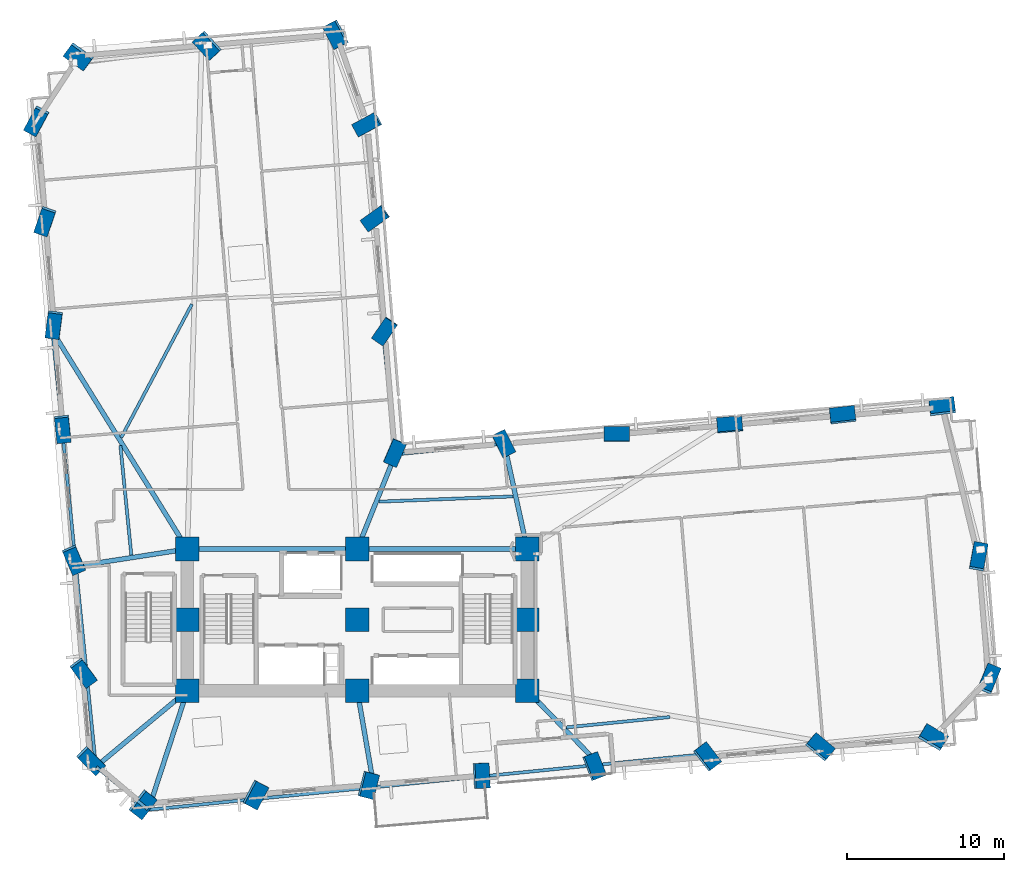
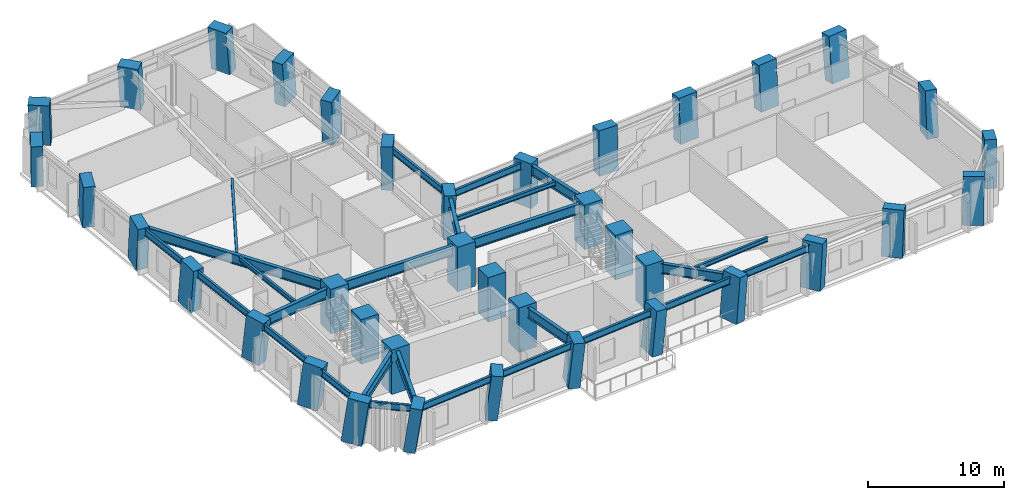
# One storey, part 1 of 14: 38 columns, 26 beams.
"""IFC4 building model written with IfcOpenShell, lengths in metres."""

from ifc_helpers import new_model, si_unit, direction, frame, origin, origin_2d, place, context, subcontext, project, spatial, rectangle, i_section, extrude, material, material_profile, profile_set, type_object, element, save


model = new_model("IFC4")

# Units and contexts
model_context = context("Model", 3, precision=1e-05, world=origin(), true_north=direction((0.0, 1.0)))
body_context = subcontext(model_context, "Body", "Model", "MODEL_VIEW")
ifc_project = project(units=[si_unit("LENGTHUNIT", "METRE"), si_unit("AREAUNIT", "SQUARE_METRE"), si_unit("VOLUMEUNIT", "CUBIC_METRE"), si_unit("PLANEANGLEUNIT", "RADIAN"), si_unit("MASSUNIT", "GRAM", prefix="KILO")], contexts=[model_context])

# Site, building, storey
site_placement = place(None, origin())
site = spatial("IfcSite", under=ifc_project, at=site_placement, CompositionType="ELEMENT")
building_placement = place(site_placement, origin())
building = spatial("IfcBuilding", under=site, at=building_placement, Name="Gaonmaruhae Medical Tower", CompositionType="ELEMENT")
storey_placement = place(building_placement, frame((0.0, 0.0, 43.0)))
storey = spatial("IfcBuildingStorey", under=building, at=storey_placement, Name="L09", CompositionType="ELEMENT", Elevation=43.0)

# Columns
ifc_material_1 = material(Name="Concrete C60/75", Category="concrete")
ifc_material_profile_1 = material_profile(ifc_material_1, rectangle(XDim=1.5, YDim=1.5, at=origin_2d()), Name="RC-1500x1500")
ifc_profile_set_1 = profile_set([ifc_material_profile_1], Name="Concrete C60/75")
column_type_1 = type_object("IfcColumnType", Name="CC-02 Zone 1 Core Column (RC-1500x1500)", PredefinedType="COLUMN", material=ifc_profile_set_1)
for number, where, z_axis, x_axis, name in (
    (1, (14.0, 7.800048828125, 0.0), (0.0, 0.0, 1.0), (1.0, 0.0, 0.0), "L09 Plumb Core Column CC11"),
    (2, (14.0, 12.300048828125, 0.0), (0.0, 0.0, 1.0), (1.0, 0.0, 0.0), "L09 Plumb Core Column CC12"),
    (3, (14.0, 16.800048828125, 0.0), (0.0, 0.0, 1.0), (1.0, 0.0, 0.0), "L09 Plumb Core Column CC13"),
    (4, (24.800048828125, 7.800048828125, 0.0), (0.0, 0.0, 1.0), (1.0, 0.0, 0.0), "L09 Plumb Core Column CC21"),
    (5, (24.800048828125, 12.300048828125, 0.0), (0.0, 0.0, 1.0), (1.0, 0.0, 0.0), "L09 Plumb Core Column CC22"),
    (6, (24.800048828125, 16.800048828125, 0.0), (0.0, 0.0, 1.0), (1.0, 0.0, 0.0), "L09 Plumb Core Column CC23"),
    (7, (35.60009765625, 7.800048828125, 0.0), (0.0, 0.0, 1.0), (1.0, 0.0, 0.0), "L09 Plumb Core Column CC31"),
    (8, (35.60009765625, 12.300048828125, 0.0), (0.0, 0.0, 1.0), (1.0, 0.0, 0.0), "L09 Plumb Core Column CC32"),
    (9, (35.60009765625, 16.800048828125, 0.0), (0.0, 0.0, 1.0), (1.0, 0.0, 0.0), "L09 Plumb Core Column CC33"),
):
    element("IfcColumn", number, at=place(storey_placement, frame(where, z_axis=z_axis, x_axis=x_axis)), inside=storey, type_object=column_type_1, Name=name, PredefinedType="COLUMN", context=body_context, shape_type="SweptSolid", body=[
        extrude(rectangle(XDim=1.5, YDim=1.5, at=origin_2d()), origin(), (0.0, 0.0, 1.0), 4.0),
    ])
ifc_material_profile_2 = material_profile(ifc_material_1, rectangle(XDim=1.60009765625, YDim=0.89990234375, at=origin_2d()), Name="RC-1600x900")
ifc_profile_set_2 = profile_set([ifc_material_profile_2], Name="Concrete C60/75")
column_type_2 = type_object("IfcColumnType", Name="TC-01 Lower Raking Tube Pier Column (RC-1600x900)", PredefinedType="COLUMN", material=ifc_profile_set_2)
column_1_placement = place(storey_placement, frame((11.12646484375, 0.605712890625, 0.001708984375), z_axis=(0.100105415499, -0.091450594207, 0.990765206599), x_axis=(0.611581108699, 0.791102068407, 0.011227860206)))
element("IfcColumn", 10, at=column_1_placement, inside=storey, type_object=column_type_2, Name="L09 Perimeter Tube Column S01", PredefinedType="COLUMN", context=body_context, shape_type="SweptSolid", body=[
    extrude(rectangle(XDim=1.60009765625, YDim=0.89990234375, at=origin_2d()), origin(), (0.0, 0.0, 1.0), 4.033935546875),
])
column_2_placement = place(storey_placement, frame((18.3017578125, 1.201904296875, 0.001708984375), z_axis=(0.097689287365, -0.062132813827, 0.993275549171), x_axis=(0.465425846854, 0.885034953746, 0.009587060428)))
element("IfcColumn", 11, at=column_2_placement, inside=storey, type_object=column_type_2, Name="L09 Perimeter Tube Column S02", PredefinedType="COLUMN", context=body_context, shape_type="SweptSolid", body=[
    extrude(rectangle(XDim=1.60009765625, YDim=0.89990234375, at=origin_2d()), origin(), (0.0, 0.0, 1.0), 4.023681640625),
])
column_3_placement = place(storey_placement, frame((25.47705078125, 1.79833984375, 0.001708984375), z_axis=(0.095116908287, -0.032698336523, 0.994928938441), x_axis=(0.24606709674, 0.969217010623, 0.008328878761)))
element("IfcColumn", 12, at=column_3_placement, inside=storey, type_object=column_type_2, Name="L09 Perimeter Tube Column S03", PredefinedType="COLUMN", context=body_context, shape_type="SweptSolid", body=[
    extrude(rectangle(XDim=1.60009765625, YDim=0.89990234375, at=origin_2d()), origin(), (0.0, 0.0, 1.0), 4.016845703125),
])
column_4_placement = place(storey_placement, frame((32.65234375, 2.39453125, 0.001708984375), z_axis=(0.092454615245, -0.003162921048, 0.995711876022), x_axis=(-0.048331810762, 0.998801958908, 0.007660479794)))
element("IfcColumn", 13, at=column_4_placement, inside=storey, type_object=column_type_2, Name="L09 Perimeter Tube Column S04", PredefinedType="COLUMN", context=body_context, shape_type="SweptSolid", body=[
    extrude(rectangle(XDim=1.60009765625, YDim=0.89990234375, at=origin_2d()), origin(), (0.0, 0.0, 1.0), 4.013671875),
])
column_5_placement = place(storey_placement, frame((39.82763671875, 2.99072265625, 0.001708984375), z_axis=(0.08976921486, 0.026456374298, 0.995611143129), x_axis=(-0.360804993804, 0.932609081019, 0.007749738583)))
element("IfcColumn", 14, at=column_5_placement, inside=storey, type_object=column_type_2, Name="L09 Perimeter Tube Column S05", PredefinedType="COLUMN", context=body_context, shape_type="SweptSolid", body=[
    extrude(rectangle(XDim=1.60009765625, YDim=0.89990234375, at=origin_2d()), origin(), (0.0, 0.0, 1.0), 4.01416015625),
])
column_6_placement = place(storey_placement, frame((47.002685546875, 3.587158203125, 0.001708984375), z_axis=(0.087007750901, 0.05595959398, 0.99463469431), x_axis=(-0.608351167105, 0.793621744244, 0.008566477999)))
element("IfcColumn", 15, at=column_6_placement, inside=storey, type_object=column_type_2, Name="L09 Perimeter Tube Column S06", PredefinedType="COLUMN", context=body_context, shape_type="SweptSolid", body=[
    extrude(rectangle(XDim=1.60009765625, YDim=0.89990234375, at=origin_2d()), origin(), (0.0, 0.0, 1.0), 4.01806640625),
])
column_7_placement = place(storey_placement, frame((54.177978515625, 4.183349609375, 0.001708984375), z_axis=(0.084177518117, 0.085390450655, 0.992785282113), x_axis=(-0.767415180353, 0.641073593575, 0.00992917841)))
element("IfcColumn", 16, at=column_7_placement, inside=storey, type_object=column_type_2, Name="L09 Perimeter Tube Column S07", PredefinedType="COLUMN", context=body_context, shape_type="SweptSolid", body=[
    extrude(rectangle(XDim=1.60009765625, YDim=0.89990234375, at=origin_2d()), origin(), (0.0, 0.0, 1.0), 4.025634765625),
])
column_8_placement = place(storey_placement, frame((61.353271484375, 4.779541015625, 0.001708984375), z_axis=(0.081226798474, 0.11461264565, 0.990083909912), x_axis=(-0.860485068136, 0.509342839907, 0.011632667372)))
element("IfcColumn", 17, at=column_8_placement, inside=storey, type_object=column_type_2, Name="L09 Perimeter Tube Column S08", PredefinedType="COLUMN", context=body_context, shape_type="SweptSolid", body=[
    extrude(rectangle(XDim=1.60009765625, YDim=0.89990234375, at=origin_2d()), origin(), (0.0, 0.0, 1.0), 4.03662109375),
])
column_9_placement = place(storey_placement, frame((64.908447265625, 8.48681640625, 0.001708984375), z_axis=(0.065883618788, 0.128926384289, 0.989463155559), x_axis=(-0.374965636524, -0.915741149451, 0.144287624654)))
element("IfcColumn", 18, at=column_9_placement, inside=storey, type_object=column_type_2, Name="L09 Perimeter Tube Column E01", PredefinedType="COLUMN", context=body_context, shape_type="SweptSolid", body=[
    extrude(rectangle(XDim=1.60009765625, YDim=0.89990234375, at=origin_2d()), origin(), (0.0, 0.0, 1.0), 4.0390625),
])
column_10_placement = place(storey_placement, frame((64.262451171875, 16.260009765625, 0.001708984375), z_axis=(0.034096730503, 0.126272971756, 0.991409375371), x_axis=(-0.17761535471, -0.975429466717, 0.130346235969)))
element("IfcColumn", 19, at=column_10_placement, inside=storey, type_object=column_type_2, Name="L09 Perimeter Tube Column E02", PredefinedType="COLUMN", context=body_context, shape_type="SweptSolid", body=[
    extrude(rectangle(XDim=1.60009765625, YDim=0.89990234375, at=origin_2d()), origin(), (0.0, 0.0, 1.0), 4.03125),
])
column_11_placement = place(storey_placement, frame((61.96435546875, 25.802490234375, 0.001708984375), z_axis=(-0.00509619304, 0.116727088199, 0.993150953127), x_axis=(-0.992029926885, -0.125630471122, 0.009675168759)))
element("IfcColumn", 20, at=column_11_placement, inside=storey, type_object=column_type_2, Name="L09 Perimeter Tube Column E03", PredefinedType="COLUMN", context=body_context, shape_type="SweptSolid", body=[
    extrude(rectangle(XDim=1.60009765625, YDim=0.89990234375, at=origin_2d()), origin(), (0.0, 0.0, 1.0), 4.024169921875),
])
column_12_placement = place(storey_placement, frame((55.63623046875, 25.276611328125, 0.001708984375), z_axis=(-0.002737528383, 0.090946776294, 0.995851991925), x_axis=(-0.993633257969, -0.112410761084, 0.007534550471)))
element("IfcColumn", 21, at=column_12_placement, inside=storey, type_object=column_type_2, Name="L09 Perimeter Tube Column EN01", PredefinedType="COLUMN", context=body_context, shape_type="SweptSolid", body=[
    extrude(rectangle(XDim=1.60009765625, YDim=0.89990234375, at=origin_2d()), origin(), (0.0, 0.0, 1.0), 4.01318359375),
])
column_13_placement = place(storey_placement, frame((48.4609375, 24.680419921875, 0.001708984375), z_axis=(0.0, 0.061459648472, 0.99810956894), x_axis=(-0.996565502498, -0.082651664305, 0.005089363324)))
element("IfcColumn", 22, at=column_13_placement, inside=storey, type_object=column_type_2, Name="L09 Perimeter Tube Column EN02", PredefinedType="COLUMN", context=body_context, shape_type="SweptSolid", body=[
    extrude(rectangle(XDim=1.60009765625, YDim=0.89990234375, at=origin_2d()), origin(), (0.0, 0.0, 1.0), 4.004150390625),
])
column_14_placement = place(storey_placement, frame((41.28564453125, 24.083984375, 0.001708984375), z_axis=(0.002686468438, 0.031871284652, 0.999488371169), x_axis=(-0.999995734273, 0.00123148232, 0.002648563136)))
element("IfcColumn", 23, at=column_14_placement, inside=storey, type_object=column_type_2, Name="L09 Perimeter Tube Column EN03", PredefinedType="COLUMN", context=body_context, shape_type="SweptSolid", body=[
    extrude(rectangle(XDim=1.60009765625, YDim=0.89990234375, at=origin_2d()), origin(), (0.0, 0.0, 1.0), 3.99853515625),
])
column_15_placement = place(storey_placement, frame((34.1103515625, 23.48779296875, 0.001708984375), z_axis=(0.005436681812, 0.002138020937, 0.999982935533), x_axis=(-0.441780940318, 0.897122827011, 0.000483763271)))
element("IfcColumn", 24, at=column_15_placement, inside=storey, type_object=column_type_2, Name="L09 Perimeter Tube Column EN04", PredefinedType="COLUMN", context=body_context, shape_type="SweptSolid", body=[
    extrude(rectangle(XDim=1.60009765625, YDim=0.89990234375, at=origin_2d()), origin(), (0.0, 0.0, 1.0), 3.99658203125),
])
column_16_placement = place(storey_placement, frame((27.184326171875, 22.912109375, 0.001708984375), z_axis=(0.00806043663, -0.026501738618, 0.999616269981), x_axis=(0.396159552776, 0.917938249982, 0.021141853361)))
element("IfcColumn", 25, at=column_16_placement, inside=storey, type_object=column_type_2, Name="L09 Perimeter Tube Column KN01", PredefinedType="COLUMN", context=body_context, shape_type="SweptSolid", body=[
    extrude(rectangle(XDim=1.60009765625, YDim=0.89990234375, at=origin_2d()), origin(), (0.0, 0.0, 1.0), 3.998046875),
])
column_17_placement = place(storey_placement, frame((26.54248046875, 30.635498046875, 0.001708984375), z_axis=(-0.023929015916, -0.029422922632, 0.999280588134), x_axis=(0.564092616343, 0.824846092772, 0.03779475396)))
element("IfcColumn", 26, at=column_17_placement, inside=storey, type_object=column_type_2, Name="L09 Perimeter Tube Column NE01", PredefinedType="COLUMN", context=body_context, shape_type="SweptSolid", body=[
    extrude(rectangle(XDim=1.60009765625, YDim=0.89990234375, at=origin_2d()), origin(), (0.0, 0.0, 1.0), 3.99951171875),
])
column_18_placement = place(storey_placement, frame((25.9462890625, 37.810791015625, 0.001708984375), z_axis=(-0.053590964429, -0.03206922331, 0.99804788134), x_axis=(0.810957592379, 0.581785272083, 0.062238899011)))
element("IfcColumn", 27, at=column_18_placement, inside=storey, type_object=column_type_2, Name="L09 Perimeter Tube Column NE02", PredefinedType="COLUMN", context=body_context, shape_type="SweptSolid", body=[
    extrude(rectangle(XDim=1.60009765625, YDim=0.89990234375, at=origin_2d()), origin(), (0.0, 0.0, 1.0), 4.00439453125),
])
column_19_placement = place(storey_placement, frame((25.44921875, 43.790283203125, 0.001708984375), z_axis=(-0.078149906761, -0.034327529138, 0.996350446789), x_axis=(0.875790181589, 0.47513759138, 0.085063664917)))
element("IfcColumn", 28, at=column_19_placement, inside=storey, type_object=column_type_2, Name="L09 Perimeter Tube Column NE03", PredefinedType="COLUMN", context=body_context, shape_type="SweptSolid", body=[
    extrude(rectangle(XDim=1.60009765625, YDim=0.89990234375, at=origin_2d()), origin(), (0.0, 0.0, 1.0), 4.01123046875),
])
column_20_placement = place(storey_placement, frame((23.469970703125, 49.495849609375, 0.001708984375), z_axis=(-0.10139716979, -0.042562524565, 0.993935131415), x_axis=(0.461606570923, -0.887038020539, 0.009106250522)))
element("IfcColumn", 29, at=column_20_placement, inside=storey, type_object=column_type_2, Name="L09 Perimeter Tube Column N01", PredefinedType="COLUMN", context=body_context, shape_type="SweptSolid", body=[
    extrude(rectangle(XDim=1.60009765625, YDim=0.89990234375, at=origin_2d()), origin(), (0.0, 0.0, 1.0), 4.02099609375),
])
column_21_placement = place(storey_placement, frame((15.298095703125, 48.81689453125, 0.001708984375), z_axis=(-0.098134622607, -0.076131615808, 0.992256807949), x_axis=(0.675776401086, -0.737034920239, 0.010285041756)))
element("IfcColumn", 30, at=column_21_placement, inside=storey, type_object=column_type_2, Name="L09 Perimeter Tube Column N02", PredefinedType="COLUMN", context=body_context, shape_type="SweptSolid", body=[
    extrude(rectangle(XDim=1.60009765625, YDim=0.89990234375, at=origin_2d()), origin(), (0.0, 0.0, 1.0), 4.02783203125),
])
column_22_placement = place(storey_placement, frame((7.126220703125, 48.1376953125, 0.001708984375), z_axis=(-0.094776858369, -0.109343964789, 0.989475236922), x_axis=(0.806719200404, -0.590813465047, 0.011982538055)))
element("IfcColumn", 31, at=column_22_placement, inside=storey, type_object=column_type_2, Name="L09 Perimeter Tube Column N03", PredefinedType="COLUMN", context=body_context, shape_type="SweptSolid", body=[
    extrude(rectangle(XDim=1.60009765625, YDim=0.89990234375, at=origin_2d()), origin(), (0.0, 0.0, 1.0), 4.0390625),
])
column_23_placement = place(storey_placement, frame((4.45556640625, 44.052490234375, 0.001708984375), z_axis=(-0.077989674044, -0.120188737985, 0.989682917911), x_axis=(0.467404280467, 0.872436977257, 0.142782909749)))
element("IfcColumn", 32, at=column_23_placement, inside=storey, type_object=column_type_2, Name="L09 Perimeter Tube Column W01", PredefinedType="COLUMN", context=body_context, shape_type="SweptSolid", body=[
    extrude(rectangle(XDim=1.60009765625, YDim=0.89990234375, at=origin_2d()), origin(), (0.0, 0.0, 1.0), 4.038330078125),
])
column_24_placement = place(storey_placement, frame((4.985595703125, 37.674560546875, 0.001708984375), z_axis=(-0.051975028871, -0.118064488659, 0.991644781609), x_axis=(0.322383773593, 0.93783910321, 0.128555509462)))
element("IfcColumn", 33, at=column_24_placement, inside=storey, type_object=column_type_2, Name="L09 Perimeter Tube Column W02", PredefinedType="COLUMN", context=body_context, shape_type="SweptSolid", body=[
    extrude(rectangle(XDim=1.60009765625, YDim=0.89990234375, at=origin_2d()), origin(), (0.0, 0.0, 1.0), 4.0302734375),
])
column_25_placement = place(storey_placement, frame((5.531982421875, 31.09716796875, 0.001708984375), z_axis=(-0.024930331489, -0.115734969538, 0.992967217685), x_axis=(0.127428183267, 0.98480559743, 0.117983021577)))
element("IfcColumn", 34, at=column_25_placement, inside=storey, type_object=column_type_2, Name="L09 Perimeter Tube Column W03", PredefinedType="COLUMN", context=body_context, shape_type="SweptSolid", body=[
    extrude(rectangle(XDim=1.60009765625, YDim=0.89990234375, at=origin_2d()), origin(), (0.0, 0.0, 1.0), 4.02490234375),
])
column_26_placement = place(storey_placement, frame((6.082763671875, 24.469970703125, 0.001708984375), z_axis=(0.002306361863, -0.113315199963, 0.993556413171), x_axis=(-0.102939792592, 0.988253930152, 0.112949407435)))
element("IfcColumn", 35, at=column_26_placement, inside=storey, type_object=column_type_2, Name="L09 Perimeter Tube Column W04", PredefinedType="COLUMN", context=body_context, shape_type="SweptSolid", body=[
    extrude(rectangle(XDim=1.60009765625, YDim=0.89990234375, at=origin_2d()), origin(), (0.0, 0.0, 1.0), 4.0224609375),
])
column_27_placement = place(storey_placement, frame((6.7744140625, 16.148681640625, 0.001708984375), z_axis=(0.036526226116, -0.110124751497, 0.993246381274), x_axis=(-0.390213029027, 0.913435534093, 0.11562576285)))
element("IfcColumn", 36, at=column_27_placement, inside=storey, type_object=column_type_2, Name="L09 Perimeter Tube Column W05", PredefinedType="COLUMN", context=body_context, shape_type="SweptSolid", body=[
    extrude(rectangle(XDim=1.60009765625, YDim=0.89990234375, at=origin_2d()), origin(), (0.0, 0.0, 1.0), 4.023681640625),
])
column_28_placement = place(storey_placement, frame((7.37060546875, 8.973388671875, 0.001708984375), z_axis=(0.065994029659, -0.10732362399, 0.992031465117), x_axis=(-0.588382931582, 0.798774562597, 0.125557651976)))
element("IfcColumn", 37, at=column_28_placement, inside=storey, type_object=column_type_2, Name="L09 Perimeter Tube Column W06", PredefinedType="COLUMN", context=body_context, shape_type="SweptSolid", body=[
    extrude(rectangle(XDim=1.60009765625, YDim=0.89990234375, at=origin_2d()), origin(), (0.0, 0.0, 1.0), 4.028564453125),
])
column_29_placement = place(storey_placement, frame((7.83447265625, 3.392578125, 0.001708984375), z_axis=(0.088703654958, -0.10504061733, 0.990503977937), x_axis=(-0.700137756732, 0.700738799977, 0.137011881987)))
element("IfcColumn", 38, at=column_29_placement, inside=storey, type_object=column_type_2, Name="L09 Perimeter Tube Column W07", PredefinedType="COLUMN", context=body_context, shape_type="SweptSolid", body=[
    extrude(rectangle(XDim=1.60009765625, YDim=0.89990234375, at=origin_2d()), origin(), (0.0, 0.0, 1.0), 4.034912109375),
])

# Beams
ifc_material_2 = material(Name="Steel SM355", Category="steel")
ifc_material_profile_3 = material_profile(ifc_material_2, i_section(OverallWidth=0.199951171875, OverallDepth=0.39990234375, WebThickness=0.008056640625, FlangeThickness=0.012939453125, FilletRadius=0.012939453125, at=origin_2d()), Name="H-400x200x8x13")
ifc_profile_set_3 = profile_set([ifc_material_profile_3], Name="Steel SM355")
beam_type_1 = type_object("IfcBeamType", Name="FJ-01 Lower Zone Ward Floor Joist (H-400x200x8x13)", PredefinedType="JOIST", material=ifc_profile_set_3)
beam_1_placement = place(storey_placement, frame((38.091064453125, 5.46826171875, 3.580078125), z_axis=(0.995057309687, 0.099302318398, 0.0), x_axis=(-0.099302318398, 0.995057309687, 0.0)))
element("IfcBeam", 39, at=beam_1_placement, inside=storey, type_object=beam_type_1, Name="L09 Secondary Floor Joist FJ03", PredefinedType="JOIST", context=body_context, shape_type="SweptSolid", body=[
    extrude(i_section(OverallWidth=0.199951171875, OverallDepth=0.39990234375, WebThickness=0.008056640625, FlangeThickness=0.012939453125, FilletRadius=0.012939453125, at=origin_2d()), origin(), (0.0, 0.0, 1.0), 6.601318359375),
])
beam_2_placement = place(storey_placement, frame((34.707763671875, 20.14208984375, 3.580078125), z_axis=(-0.999242040654, -0.038927422067, 0.0), x_axis=(0.038927422067, -0.999242040654, 0.0)))
element("IfcBeam", 40, at=beam_2_placement, inside=storey, type_object=beam_type_1, Name="L09 Secondary Floor Joist FJ06", PredefinedType="JOIST", context=body_context, shape_type="SweptSolid", body=[
    extrude(i_section(OverallWidth=0.199951171875, OverallDepth=0.39990234375, WebThickness=0.008056640625, FlangeThickness=0.012939453125, FilletRadius=0.012939453125, at=origin_2d()), origin(), (0.0, 0.0, 1.0), 8.535888671875),
])
beam_3_placement = place(storey_placement, frame((14.2900390625, 32.350341796875, 3.580078125), z_axis=(-0.468114584762, -0.883667774411, 0.0), x_axis=(0.883667774411, -0.468114584762, 0.0)))
element("IfcBeam", 41, at=beam_3_placement, inside=storey, type_object=beam_type_1, Name="L09 Secondary Floor Joist FJ09", PredefinedType="JOIST", context=body_context, shape_type="SweptSolid", body=[
    extrude(i_section(OverallWidth=0.199951171875, OverallDepth=0.39990234375, WebThickness=0.008056640625, FlangeThickness=0.012939453125, FilletRadius=0.012939453125, at=origin_2d()), origin(), (0.0, 0.0, 1.0), 9.591552734375),
])
beam_4_placement = place(storey_placement, frame((9.750244140625, 23.3701171875, 3.580078125), z_axis=(0.099310241721, -0.995056518942, 0.0), x_axis=(0.995056518942, 0.099310241721, 0.0)))
element("IfcBeam", 42, at=beam_4_placement, inside=storey, type_object=beam_type_1, Name="L09 Secondary Floor Joist FJ10", PredefinedType="JOIST", context=body_context, shape_type="SweptSolid", body=[
    extrude(i_section(OverallWidth=0.199951171875, OverallDepth=0.39990234375, WebThickness=0.008056640625, FlangeThickness=0.012939453125, FilletRadius=0.012939453125, at=origin_2d()), origin(), (0.0, 0.0, 1.0), 6.99658203125),
])
ifc_material_3 = material(Name="Steel SM420", Category="steel")
ifc_material_profile_4 = material_profile(ifc_material_3, i_section(OverallWidth=0.300048828125, OverallDepth=0.89990234375, WebThickness=0.01611328125, FlangeThickness=0.028076171875, FilletRadius=0.01806640625, at=origin_2d()), Name="H-900x300x16x28")
ifc_profile_set_4 = profile_set([ifc_material_profile_4], Name="Steel SM420")
beam_type_2 = type_object("IfcBeamType", Name="PG-01 Zone 1 Radial Floor Girder (H-900x300x16x28)", PredefinedType="BEAM", material=ifc_profile_set_4)
for number, where, z_axis, x_axis, name in (
    (43, (14.050048828125, 16.800048828125, 3.330078125), (1.0, 0.0, 0.0), (0.0, 1.0, 0.0), "L09 Beam BM-L09-CG-N1"),
    (44, (24.85009765625, 16.800048828125, 3.330078125), (1.0, 0.0, 0.0), (0.0, 1.0, 0.0), "L09 Beam BM-L09-CG-N2"),
):
    element("IfcBeam", number, at=place(storey_placement, frame(where, z_axis=z_axis, x_axis=x_axis)), inside=storey, type_object=beam_type_2, Name=name, PredefinedType="BEAM", context=body_context, shape_type="SweptSolid", body=[
        extrude(i_section(OverallWidth=0.300048828125, OverallDepth=0.89990234375, WebThickness=0.01611328125, FlangeThickness=0.028076171875, FilletRadius=0.01806640625, at=origin_2d()), origin(), (0.0, 0.0, 1.0), 10.699951171875),
    ])
beam_5_placement = place(storey_placement, frame((13.984375, 7.75244140625, 3.330078125), z_axis=(-0.310357652522, -0.950619864889, 0.0), x_axis=(0.950619864889, -0.310357652522, 0.0)))
element("IfcBeam", 45, at=beam_5_placement, inside=storey, type_object=beam_type_2, Name="L09 Radial Primary Girder S01", PredefinedType="BEAM", context=body_context, shape_type="SweptSolid", body=[
    extrude(i_section(OverallWidth=0.300048828125, OverallDepth=0.89990234375, WebThickness=0.01611328125, FlangeThickness=0.028076171875, FilletRadius=0.01806640625, at=origin_2d()), origin(), (0.0, 0.0, 1.0), 7.856201171875),
])
beam_6_placement = place(storey_placement, frame((24.80859375, 7.750732421875, 3.330078125), z_axis=(0.170188596605, -0.985411508754, 0.0), x_axis=(0.985411508754, 0.170188596605, 0.0)))
element("IfcBeam", 46, at=beam_6_placement, inside=storey, type_object=beam_type_2, Name="L09 Radial Primary Girder S03", PredefinedType="BEAM", context=body_context, shape_type="SweptSolid", body=[
    extrude(i_section(OverallWidth=0.300048828125, OverallDepth=0.89990234375, WebThickness=0.01611328125, FlangeThickness=0.028076171875, FilletRadius=0.01806640625, at=origin_2d()), origin(), (0.0, 0.0, 1.0), 6.1240234375),
])
beam_7_placement = place(storey_placement, frame((35.635009765625, 7.76416015625, 3.31005859375), z_axis=(0.698298389202, -0.715806789321, 0.0), x_axis=(0.715806789321, 0.698298389202, 0.0)))
element("IfcBeam", 47, at=beam_7_placement, inside=storey, type_object=beam_type_2, Name="L09 Radial Primary Girder S05", PredefinedType="BEAM", context=body_context, shape_type="SweptSolid", body=[
    extrude(i_section(OverallWidth=0.300048828125, OverallDepth=0.89990234375, WebThickness=0.01611328125, FlangeThickness=0.028076171875, FilletRadius=0.01806640625, at=origin_2d()), origin(), (0.0, 0.0, 1.0), 6.47021484375),
])
beam_8_placement = place(storey_placement, frame((35.58935546875, 16.848876953125, 3.330078125), z_axis=(-0.214132294686, 0.976804668484, 0.0), x_axis=(-0.976804668484, -0.214132294686, 0.0)))
element("IfcBeam", 48, at=beam_8_placement, inside=storey, type_object=beam_type_2, Name="L09 Radial Primary Girder EN04", PredefinedType="BEAM", context=body_context, shape_type="SweptSolid", body=[
    extrude(i_section(OverallWidth=0.300048828125, OverallDepth=0.89990234375, WebThickness=0.01611328125, FlangeThickness=0.028076171875, FilletRadius=0.01806640625, at=origin_2d()), origin(), (0.0, 0.0, 1.0), 6.75537109375),
])
beam_9_placement = place(storey_placement, frame((24.818603515625, 16.846435546875, 3.330078125), z_axis=(0.373258826654, 0.927727248886, 0.0), x_axis=(-0.927727248886, 0.373258826654, 0.0)))
element("IfcBeam", 49, at=beam_9_placement, inside=storey, type_object=beam_type_2, Name="L09 Radial Primary Girder KN01", PredefinedType="BEAM", context=body_context, shape_type="SweptSolid", body=[
    extrude(i_section(OverallWidth=0.300048828125, OverallDepth=0.89990234375, WebThickness=0.01611328125, FlangeThickness=0.028076171875, FilletRadius=0.01806640625, at=origin_2d()), origin(), (0.0, 0.0, 1.0), 6.3740234375),
])
beam_10_placement = place(storey_placement, frame((13.9736328125, 16.842529296875, 3.330078125), z_axis=(-0.526629029909, 0.850095209289, 0.0), x_axis=(-0.850095209289, -0.526629029909, 0.0)))
element("IfcBeam", 50, at=beam_10_placement, inside=storey, type_object=beam_type_2, Name="L09 Radial Primary Girder W03", PredefinedType="BEAM", context=body_context, shape_type="SweptSolid", body=[
    extrude(i_section(OverallWidth=0.300048828125, OverallDepth=0.89990234375, WebThickness=0.01611328125, FlangeThickness=0.028076171875, FilletRadius=0.01806640625, at=origin_2d()), origin(), (0.0, 0.0, 1.0), 16.170166015625),
])
beam_11_placement = place(storey_placement, frame((13.95068359375, 16.79248046875, 3.330078125), z_axis=(-0.988249097454, -0.15285195904, 0.0), x_axis=(0.15285195904, -0.988249097454, 0.0)))
element("IfcBeam", 51, at=beam_11_placement, inside=storey, type_object=beam_type_2, Name="L09 Radial Primary Girder W05", PredefinedType="BEAM", context=body_context, shape_type="SweptSolid", body=[
    extrude(i_section(OverallWidth=0.300048828125, OverallDepth=0.89990234375, WebThickness=0.01611328125, FlangeThickness=0.028076171875, FilletRadius=0.01806640625, at=origin_2d()), origin(), (0.0, 0.0, 1.0), 7.06298828125),
])
beam_12_placement = place(storey_placement, frame((13.961669921875, 7.76806640625, 3.330078125), z_axis=(-0.768736459524, -0.63956567747, 0.0), x_axis=(0.63956567747, -0.768736459524, 0.0)))
element("IfcBeam", 52, at=beam_12_placement, inside=storey, type_object=beam_type_2, Name="L09 Radial Primary Girder W07", PredefinedType="BEAM", context=body_context, shape_type="SweptSolid", body=[
    extrude(i_section(OverallWidth=0.300048828125, OverallDepth=0.89990234375, WebThickness=0.01611328125, FlangeThickness=0.028076171875, FilletRadius=0.01806640625, at=origin_2d()), origin(), (0.0, 0.0, 1.0), 7.454345703125),
])
ifc_material_profile_5 = material_profile(ifc_material_2, i_section(OverallWidth=0.199951171875, OverallDepth=0.60009765625, WebThickness=0.010986328125, FlangeThickness=0.01708984375, FilletRadius=0.012939453125, at=origin_2d()), Name="H-600x200x11x17")
ifc_profile_set_5 = profile_set([ifc_material_profile_5], Name="Steel SM355")
beam_type_3 = type_object("IfcBeamType", Name="SP-01 Lower Perimeter Spandrel Beam (H-600x200x11x17)", PredefinedType="SPANDREL", material=ifc_profile_set_5)
beam_13_placement = place(storey_placement, frame((11.5703125, 0.240478515625, 3.47998046875), z_axis=(0.995053811918, 0.099337361492, 0.0), x_axis=(-0.099337361492, 0.995053811918, 0.0)))
element("IfcBeam", 53, at=beam_13_placement, inside=storey, type_object=beam_type_3, Name="L09 Perimeter Spandrel Beam S01-S02", PredefinedType="SPANDREL", context=body_context, shape_type="SweptSolid", body=[
    extrude(i_section(OverallWidth=0.199951171875, OverallDepth=0.60009765625, WebThickness=0.010986328125, FlangeThickness=0.01708984375, FilletRadius=0.012939453125, at=origin_2d()), origin(), (0.0, 0.0, 1.0), 7.119873046875),
])
beam_14_placement = place(storey_placement, frame((18.734619140625, 0.95556640625, 3.47998046875), z_axis=(0.995054150268, 0.099333972203, 0.0), x_axis=(-0.099333972203, 0.995054150268, 0.0)))
element("IfcBeam", 54, at=beam_14_placement, inside=storey, type_object=beam_type_3, Name="L09 Perimeter Spandrel Beam S02-S03", PredefinedType="SPANDREL", context=body_context, shape_type="SweptSolid", body=[
    extrude(i_section(OverallWidth=0.199951171875, OverallDepth=0.60009765625, WebThickness=0.010986328125, FlangeThickness=0.01708984375, FilletRadius=0.012939453125, at=origin_2d()), origin(), (0.0, 0.0, 1.0), 7.1201171875),
])
for number, where, z_axis, x_axis, name in (
    (55, (25.899169921875, 1.6708984375, 3.47998046875), (0.995057200754, 0.099303409952, 0.0), (-0.099303409952, 0.995057200754, 0.0), "L09 Perimeter Spandrel Beam S03-S04"),
    (56, (33.0634765625, 2.385986328125, 3.4599609375), (0.995057200754, 0.099303409952, 0.0), (-0.099303409952, 0.995057200754, 0.0), "L09 Perimeter Spandrel Beam S04-S05"),
    (57, (40.22802734375, 3.10107421875, 3.4599609375), (0.995057200754, 0.099303409952, 0.0), (-0.099303409952, 0.995057200754, 0.0), "L09 Perimeter Spandrel Beam S05-S06"),
):
    element("IfcBeam", number, at=place(storey_placement, frame(where, z_axis=z_axis, x_axis=x_axis)), inside=storey, type_object=beam_type_3, Name=name, PredefinedType="SPANDREL", context=body_context, shape_type="SweptSolid", body=[
        extrude(i_section(OverallWidth=0.199951171875, OverallDepth=0.60009765625, WebThickness=0.010986328125, FlangeThickness=0.01708984375, FilletRadius=0.012939453125, at=origin_2d()), origin(), (0.0, 0.0, 1.0), 7.119873046875),
    ])
beam_15_placement = place(storey_placement, frame((34.09228515625, 23.492431640625, 3.47998046875), z_axis=(-0.995054767563, -0.099327788405, 0.0), x_axis=(0.099327788405, -0.995054767563, 0.0)))
element("IfcBeam", 58, at=beam_15_placement, inside=storey, type_object=beam_type_3, Name="L09 Perimeter Spandrel Beam EN04-KN01", PredefinedType="SPANDREL", context=body_context, shape_type="SweptSolid", body=[
    extrude(i_section(OverallWidth=0.199951171875, OverallDepth=0.60009765625, WebThickness=0.010986328125, FlangeThickness=0.01708984375, FilletRadius=0.012939453125, at=origin_2d()), origin(), (0.0, 0.0, 1.0), 6.869873046875),
])
beam_16_placement = place(storey_placement, frame((27.21240234375, 22.845947265625, 3.47998046875), z_axis=(-0.099311472944, 0.995056396061, 0.0), x_axis=(-0.995056396061, -0.099311472944, 0.0)))
element("IfcBeam", 59, at=beam_16_placement, inside=storey, type_object=beam_type_3, Name="L09 Perimeter Spandrel Beam KN01-NE01", PredefinedType="SPANDREL", context=body_context, shape_type="SweptSolid", body=[
    extrude(i_section(OverallWidth=0.199951171875, OverallDepth=0.60009765625, WebThickness=0.010986328125, FlangeThickness=0.01708984375, FilletRadius=0.012939453125, at=origin_2d()), origin(), (0.0, 0.0, 1.0), 7.669921875),
])
beam_17_placement = place(storey_placement, frame((5.435546875, 30.59130859375, 3.47998046875), z_axis=(0.09932711825, -0.995054834459, 0.0), x_axis=(0.995054834459, 0.09932711825, 0.0)))
element("IfcBeam", 60, at=beam_17_placement, inside=storey, type_object=beam_type_3, Name="L09 Perimeter Spandrel Beam W03-W04", PredefinedType="SPANDREL", context=body_context, shape_type="SweptSolid", body=[
    extrude(i_section(OverallWidth=0.199951171875, OverallDepth=0.60009765625, WebThickness=0.010986328125, FlangeThickness=0.01708984375, FilletRadius=0.012939453125, at=origin_2d()), origin(), (0.0, 0.0, 1.0), 6.570068359375),
])
beam_18_placement = place(storey_placement, frame((6.095947265625, 23.97412109375, 3.47998046875), z_axis=(0.099340033803, -0.995053545134, 0.0), x_axis=(0.995053545134, 0.099340033803, 0.0)))
element("IfcBeam", 61, at=beam_18_placement, inside=storey, type_object=beam_type_3, Name="L09 Perimeter Spandrel Beam W04-W05", PredefinedType="SPANDREL", context=body_context, shape_type="SweptSolid", body=[
    extrude(i_section(OverallWidth=0.199951171875, OverallDepth=0.60009765625, WebThickness=0.010986328125, FlangeThickness=0.01708984375, FilletRadius=0.012939453125, at=origin_2d()), origin(), (0.0, 0.0, 1.0), 8.27001953125),
])
beam_19_placement = place(storey_placement, frame((6.92529296875, 15.66552734375, 3.47998046875), z_axis=(0.099337361492, -0.995053811918, 0.0), x_axis=(0.995053811918, 0.099337361492, 0.0)))
element("IfcBeam", 62, at=beam_19_placement, inside=storey, type_object=beam_type_3, Name="L09 Perimeter Spandrel Beam W05-W06", PredefinedType="SPANDREL", context=body_context, shape_type="SweptSolid", body=[
    extrude(i_section(OverallWidth=0.199951171875, OverallDepth=0.60009765625, WebThickness=0.010986328125, FlangeThickness=0.01708984375, FilletRadius=0.012939453125, at=origin_2d()), origin(), (0.0, 0.0, 1.0), 7.119873046875),
])
beam_20_placement = place(storey_placement, frame((7.640380859375, 8.501220703125, 3.47998046875), z_axis=(0.099332941579, -0.995054253153, 0.0), x_axis=(0.995054253153, 0.099332941579, 0.0)))
element("IfcBeam", 63, at=beam_20_placement, inside=storey, type_object=beam_type_3, Name="L09 Perimeter Spandrel Beam W06-W07", PredefinedType="SPANDREL", context=body_context, shape_type="SweptSolid", body=[
    extrude(i_section(OverallWidth=0.199951171875, OverallDepth=0.60009765625, WebThickness=0.010986328125, FlangeThickness=0.01708984375, FilletRadius=0.012939453125, at=origin_2d()), origin(), (0.0, 0.0, 1.0), 5.520263671875),
])
beam_21_placement = place(storey_placement, frame((8.2236328125, 2.943359375, 3.47998046875), z_axis=(0.773826238679, -0.633397941527, 0.0), x_axis=(0.633397941527, 0.773826238679, 0.0)))
element("IfcBeam", 64, at=beam_21_placement, inside=storey, type_object=beam_type_3, Name="L09 Perimeter Spandrel Beam W07-S01", PredefinedType="SPANDREL", context=body_context, shape_type="SweptSolid", body=[
    extrude(i_section(OverallWidth=0.199951171875, OverallDepth=0.60009765625, WebThickness=0.010986328125, FlangeThickness=0.01708984375, FilletRadius=0.012939453125, at=origin_2d()), origin(), (0.0, 0.0, 1.0), 4.2333984375),
])

save(model, "model.ifc")
